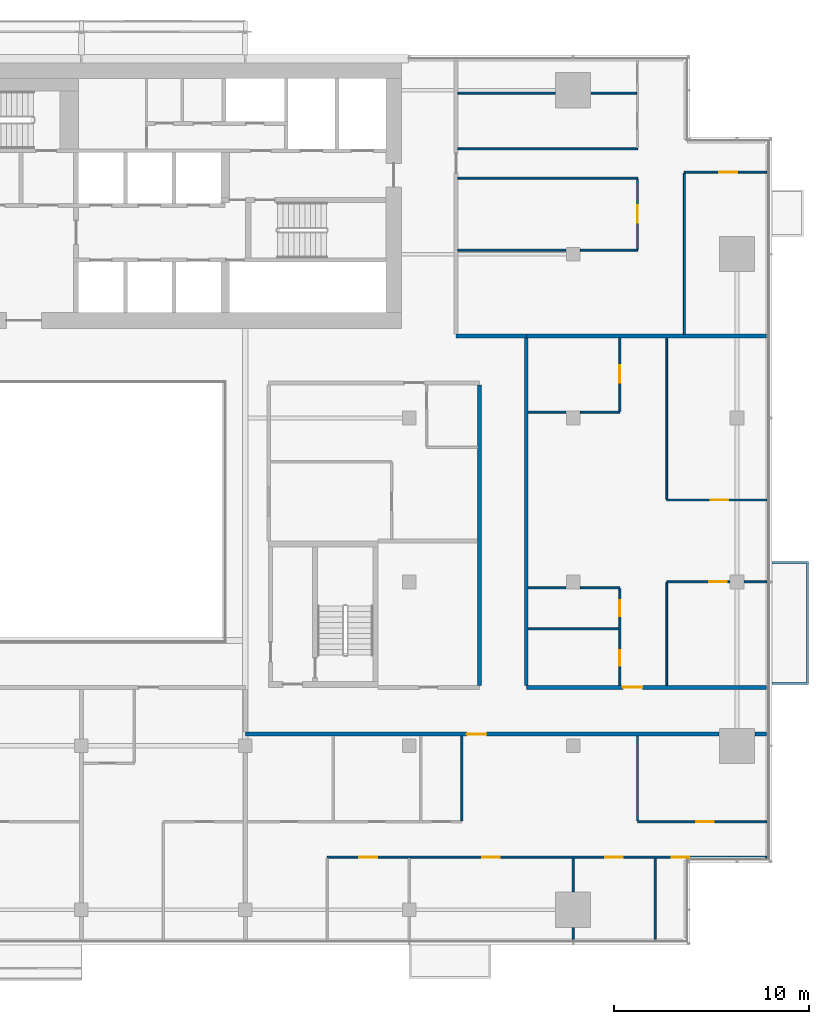
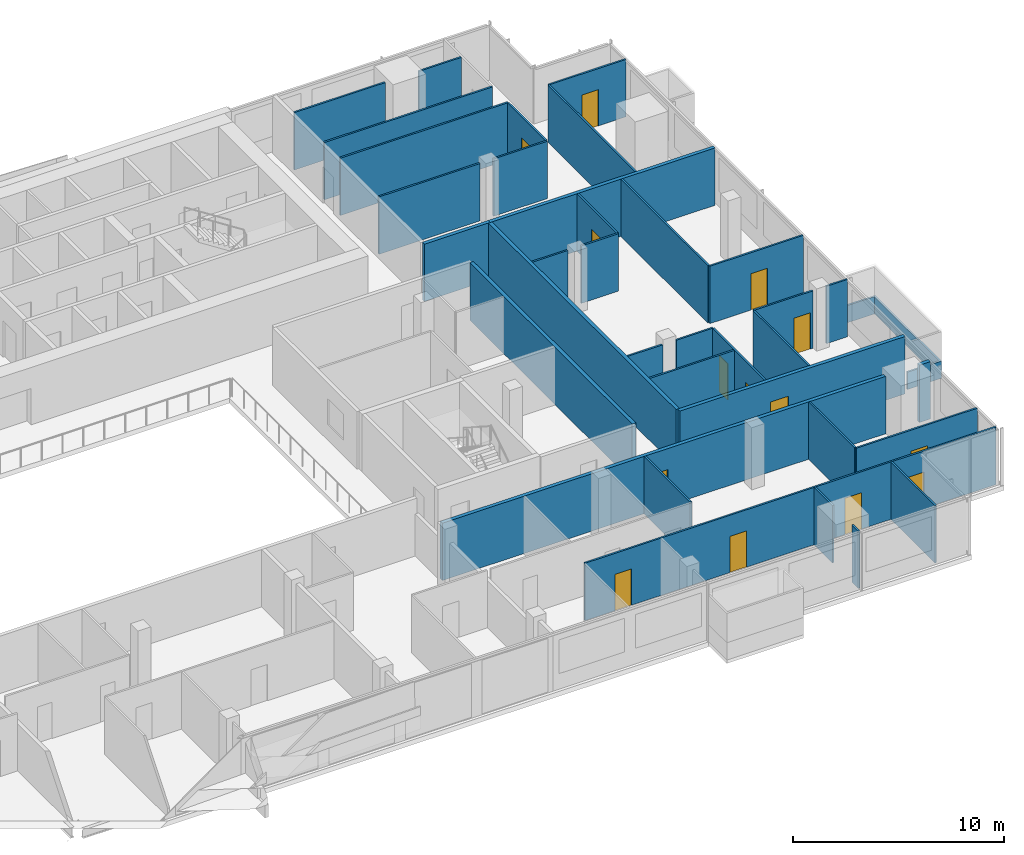
# One storey, part 23 of 27: 36 walls, 14 doors, 14 openings.
"""IFC4 building model written with IfcOpenShell, lengths in metres."""

from ifc_helpers import new_model, si_unit, direction, frame, frame_2d, origin, place, context, subcontext, project, spatial, polyline, rectangle, outline, extrude, material, layer, layer_set, type_object, element, fill, save


model = new_model("IFC4")

# Units and contexts
model_context = context("Model", 3, precision=1e-05, world=origin(), true_north=direction((0.0, 1.0)))
body_context = subcontext(model_context, "Body", "Model", "MODEL_VIEW")
ifc_project = project(units=[si_unit("LENGTHUNIT", "METRE"), si_unit("AREAUNIT", "SQUARE_METRE"), si_unit("VOLUMEUNIT", "CUBIC_METRE"), si_unit("PLANEANGLEUNIT", "RADIAN"), si_unit("MASSUNIT", "GRAM", prefix="KILO")], contexts=[model_context])

# Site, building, storey
site_placement = place(None, origin())
site = spatial("IfcSite", under=ifc_project, at=site_placement, CompositionType="ELEMENT")
building_placement = place(site_placement, origin())
building = spatial("IfcBuilding", under=site, at=building_placement, Name="Saffron Gate Tower", CompositionType="ELEMENT")
storey_placement = place(building_placement, frame((0.0, 0.0, 172.64990234375)))
storey = spatial("IfcBuildingStorey", under=building, at=storey_placement, Name="L42", CompositionType="ELEMENT", Elevation=172.64990234375)

# Wall, openings, doors
ifc_material_1 = material(Name="Plasterboard on steel studs", Category="steel")
ifc_layer_1 = layer(ifc_material_1, 0.10009765625)
ifc_layer_set_1 = layer_set([ifc_layer_1], Name="PW1 Partition 100")
wall_type_1 = type_object("IfcWallType", Name="PW1 Partition 100", PredefinedType="PARTITIONING", material=ifc_layer_set_1)
wall_1_placement = place(storey_placement, frame((126.919921875, 34.5, 0.0), z_axis=(0.0, 0.0, 1.0), x_axis=(-1.0, 0.0, 0.0)))
wall_1 = element("IfcWall", 1, at=wall_1_placement, inside=storey, type_object=wall_type_1, Name="Partition C3-1", PredefinedType="PARTITIONING", context=body_context, shape_type="SweptSolid", body=[
    extrude(rectangle(XDim=22.52001953125, YDim=0.10009765625, at=frame_2d((11.260009765625, 0.0))), origin(), (0.0, 0.0, 1.0), 3.320068359375),
])
opening_1_placement = place(wall_1_placement, frame((3.96630859375, 0.0, 0.0)))
opening_1 = element("IfcOpeningElement", 2, at=opening_1_placement, cuts=wall_1, Name="Opening C3-23", PredefinedType="OPENING", context=body_context, shape_type="SweptSolid", body=[
    extrude(rectangle(XDim=0.89990234375, YDim=2.10009765625, at=frame_2d((0.449951171875, 1.050048828125))), frame((0.0, 0.06005859375, 0.0), z_axis=(0.0, -1.0, 0.0), x_axis=(1.0, 0.0, 0.0)), (0.0, 0.0, 1.0), 0.1201171875),
])
opening_2_placement = place(wall_1_placement, frame((7.3701171875, 0.0, 0.0)))
opening_2 = element("IfcOpeningElement", 3, at=opening_2_placement, cuts=wall_1, Name="Opening C3-22", PredefinedType="OPENING", context=body_context, shape_type="SweptSolid", body=[
    extrude(rectangle(XDim=0.89990234375, YDim=2.10009765625, at=frame_2d((0.449951171875, 1.050048828125))), frame((0.0, 0.06005859375, 0.0), z_axis=(0.0, -1.0, 0.0), x_axis=(1.0, 0.0, 0.0)), (0.0, 0.0, 1.0), 0.1201171875),
])
opening_3_placement = place(wall_1_placement, frame((13.669921875, 0.0, 0.0)))
opening_3 = element("IfcOpeningElement", 4, at=opening_3_placement, cuts=wall_1, Name="Opening C3-21", PredefinedType="OPENING", context=body_context, shape_type="SweptSolid", body=[
    extrude(rectangle(XDim=0.89990234375, YDim=2.10009765625, at=frame_2d((0.449951171875, 1.050048828125))), frame((0.0, 0.06005859375, 0.0), z_axis=(0.0, -1.0, 0.0), x_axis=(1.0, 0.0, 0.0)), (0.0, 0.0, 1.0), 0.1201171875),
])
opening_4_placement = place(wall_1_placement, frame((19.969970703125, 0.0, 0.0)))
opening_4 = element("IfcOpeningElement", 5, at=opening_4_placement, cuts=wall_1, Name="Opening C3-20", PredefinedType="OPENING", context=body_context, shape_type="SweptSolid", body=[
    extrude(rectangle(XDim=0.89990234375, YDim=2.10009765625, at=frame_2d((0.449951171875, 1.050048828125))), frame((0.0, 0.06005859375, 0.0), z_axis=(0.0, -1.0, 0.0), x_axis=(1.0, 0.0, 0.0)), (0.0, 0.0, 1.0), 0.1201171875),
])
ifc_material_2 = material(Name="Timber door set", Category="wood")
door_type_1 = type_object("IfcDoorType", Name="RD1 Room door 900x2100", OperationType="NOTDEFINED", PredefinedType="DOOR", material=ifc_material_2)
door_1_placement = place(opening_1_placement, origin())
door_1 = element("IfcDoor", 6, at=door_1_placement, inside=storey, type_object=door_type_1, Name="Door C3-23", OperationType="SINGLE_SWING_RIGHT", OverallHeight=2.10009765625, OverallWidth=0.89990234375, PredefinedType="DOOR", context=body_context, shape_type="SweptSolid", body=[
    extrude(rectangle(XDim=0.89990234375, YDim=2.10009765625, at=frame_2d((0.449951171875, 1.050048828125))), frame((0.0, 0.02490234375, 0.0), z_axis=(0.0, -1.0, 0.0), x_axis=(1.0, 0.0, 0.0)), (0.0, 0.0, 1.0), 0.050048828125),
])
fill(opening_1, door_1)
door_2_placement = place(opening_2_placement, origin())
door_2 = element("IfcDoor", 7, at=door_2_placement, inside=storey, type_object=door_type_1, Name="Door C3-22", OperationType="SINGLE_SWING_RIGHT", OverallHeight=2.10009765625, OverallWidth=0.89990234375, PredefinedType="DOOR", context=body_context, shape_type="SweptSolid", body=[
    extrude(rectangle(XDim=0.89990234375, YDim=2.10009765625, at=frame_2d((0.449951171875, 1.050048828125))), frame((0.0, 0.02490234375, 0.0), z_axis=(0.0, -1.0, 0.0), x_axis=(1.0, 0.0, 0.0)), (0.0, 0.0, 1.0), 0.050048828125),
])
fill(opening_2, door_2)
door_3_placement = place(opening_3_placement, origin())
door_3 = element("IfcDoor", 8, at=door_3_placement, inside=storey, type_object=door_type_1, Name="Door C3-21", OperationType="SINGLE_SWING_RIGHT", OverallHeight=2.10009765625, OverallWidth=0.89990234375, PredefinedType="DOOR", context=body_context, shape_type="SweptSolid", body=[
    extrude(rectangle(XDim=0.89990234375, YDim=2.10009765625, at=frame_2d((0.449951171875, 1.050048828125))), frame((0.0, 0.02490234375, 0.0), z_axis=(0.0, -1.0, 0.0), x_axis=(1.0, 0.0, 0.0)), (0.0, 0.0, 1.0), 0.050048828125),
])
fill(opening_3, door_3)
door_4_placement = place(opening_4_placement, origin())
door_4 = element("IfcDoor", 9, at=door_4_placement, inside=storey, type_object=door_type_1, Name="Door C3-20", OperationType="SINGLE_SWING_RIGHT", OverallHeight=2.10009765625, OverallWidth=0.89990234375, PredefinedType="DOOR", context=body_context, shape_type="SweptSolid", body=[
    extrude(rectangle(XDim=0.89990234375, YDim=2.10009765625, at=frame_2d((0.449951171875, 1.050048828125))), frame((0.0, 0.02490234375, 0.0), z_axis=(0.0, -1.0, 0.0), x_axis=(1.0, 0.0, 0.0)), (0.0, 0.0, 1.0), 0.050048828125),
])
fill(opening_4, door_4)

# Wall, opening, door
wall_2_placement = place(storey_placement, frame((120.300048828125, 36.300048828125, 0.0), z_axis=(0.0, 0.0, 1.0), x_axis=(1.0, 0.0, 0.0)))
wall_2 = element("IfcWall", 10, at=wall_2_placement, inside=storey, type_object=wall_type_1, Name="Partition C3-4", PredefinedType="PARTITIONING", context=body_context, shape_type="SweptSolid", body=[
    extrude(rectangle(XDim=6.619873046875, YDim=0.10009765625, at=frame_2d((3.31005859375, 0.0))), origin(), (0.0, 0.0, 1.0), 3.320068359375),
])
opening_5_placement = place(wall_2_placement, frame((3.0, 0.0, 0.0)))
opening_5 = element("IfcOpeningElement", 11, at=opening_5_placement, cuts=wall_2, Name="Opening C3-24", PredefinedType="OPENING", context=body_context, shape_type="SweptSolid", body=[
    extrude(rectangle(XDim=0.89990234375, YDim=2.10009765625, at=frame_2d((0.449951171875, 1.050048828125))), frame((0.0, 0.06005859375, 0.0), z_axis=(0.0, -1.0, 0.0), x_axis=(1.0, 0.0, 0.0)), (0.0, 0.0, 1.0), 0.1201171875),
])
door_5_placement = place(opening_5_placement, origin())
door_5 = element("IfcDoor", 12, at=door_5_placement, inside=storey, type_object=door_type_1, Name="Door C3-24", OperationType="SINGLE_SWING_RIGHT", OverallHeight=2.10009765625, OverallWidth=0.89990234375, PredefinedType="DOOR", context=body_context, shape_type="SweptSolid", body=[
    extrude(rectangle(XDim=0.89990234375, YDim=2.10009765625, at=frame_2d((0.449951171875, 1.050048828125))), frame((0.0, 0.02490234375, 0.0), z_axis=(0.0, -1.0, 0.0), x_axis=(1.0, 0.0, 0.0)), (0.0, 0.0, 1.0), 0.050048828125),
])
fill(opening_5, door_5)

# Walls
wall_3_placement = place(storey_placement, frame((114.699951171875, 46.199951171875, 0.0), z_axis=(0.0, 0.0, 1.0), x_axis=(1.0, 0.0, 0.0)))
element("IfcWall", 13, at=wall_3_placement, inside=storey, type_object=wall_type_1, Name="Partition C3-18", PredefinedType="PARTITIONING", context=body_context, shape_type="SweptSolid", body=[
    extrude(rectangle(XDim=4.650146484375, YDim=0.10009765625, at=frame_2d((2.3251953125, 0.0))), origin(), (0.0, 0.0, 1.0), 3.320068359375),
])
wall_4_placement = place(storey_placement, frame((114.699951171875, 48.300048828125, 0.0), z_axis=(0.0, 0.0, 1.0), x_axis=(1.0, 0.0, 0.0)))
element("IfcWall", 14, at=wall_4_placement, inside=storey, type_object=wall_type_1, Name="Partition C3-19", PredefinedType="PARTITIONING", context=body_context, shape_type="SweptSolid", body=[
    extrude(rectangle(XDim=1.929931640625, YDim=0.10009765625, at=frame_2d((0.96484375, 0.0))), origin(), (0.0, 0.0, 1.0), 3.320068359375),
])
wall_5_placement = place(storey_placement, frame((117.3701171875, 48.300048828125, 0.0), z_axis=(0.0, 0.0, 1.0), x_axis=(1.0, 0.0, 0.0)))
element("IfcWall", 15, at=wall_5_placement, inside=storey, type_object=wall_type_1, Name="Partition C3-20", PredefinedType="PARTITIONING", context=body_context, shape_type="SweptSolid", body=[
    extrude(rectangle(XDim=2.02978515625, YDim=0.10009765625, at=frame_2d((1.014892578125, 0.0))), origin(), (0.0, 0.0, 1.0), 3.320068359375),
])

# Wall, opening, door
wall_6_placement = place(storey_placement, frame((125.030029296875, 48.60009765625, 0.0), z_axis=(0.0, 0.0, 1.0), x_axis=(-1.0, 0.0, 0.0)))
wall_6 = element("IfcWall", 16, at=wall_6_placement, inside=storey, type_object=wall_type_1, Name="Partition C3-23", PredefinedType="PARTITIONING", context=body_context, shape_type="SweptSolid", body=[
    extrude(rectangle(XDim=3.22998046875, YDim=0.10009765625, at=frame_2d((1.614990234375, 0.0))), origin(), (0.0, 0.0, 1.0), 3.320068359375),
])
opening_6_placement = place(wall_6_placement, frame((0.14990234375, 0.0, 0.0)))
opening_6 = element("IfcOpeningElement", 17, at=opening_6_placement, cuts=wall_6, Name="Opening C3-32", PredefinedType="OPENING", context=body_context, shape_type="SweptSolid", body=[
    extrude(rectangle(XDim=0.89990234375, YDim=2.10009765625, at=frame_2d((0.449951171875, 1.050048828125))), frame((0.0, 0.06005859375, 0.0), z_axis=(0.0, -1.0, 0.0), x_axis=(1.0, 0.0, 0.0)), (0.0, 0.0, 1.0), 0.1201171875),
])
door_6_placement = place(opening_6_placement, origin())
door_6 = element("IfcDoor", 18, at=door_6_placement, inside=storey, type_object=door_type_1, Name="Door C3-32", OperationType="SINGLE_SWING_LEFT", OverallHeight=2.10009765625, OverallWidth=0.89990234375, PredefinedType="DOOR", context=body_context, shape_type="SweptSolid", body=[
    extrude(rectangle(XDim=0.89990234375, YDim=2.10009765625, at=frame_2d((0.449951171875, 1.050048828125))), frame((0.0, 0.02490234375, 0.0), z_axis=(0.0, -1.0, 0.0), x_axis=(1.0, 0.0, 0.0)), (0.0, 0.0, 1.0), 0.050048828125),
])
fill(opening_6, door_6)

# Wall
wall_7_placement = place(storey_placement, frame((125.77001953125, 48.60009765625, 0.0), z_axis=(0.0, 0.0, 1.0), x_axis=(1.0, 0.0, 0.0)))
element("IfcWall", 19, at=wall_7_placement, inside=storey, type_object=wall_type_1, Name="Partition C3-24", PredefinedType="PARTITIONING", context=body_context, shape_type="SweptSolid", body=[
    extrude(rectangle(XDim=1.14990234375, YDim=0.10009765625, at=frame_2d((0.574951171875, 0.0))), origin(), (0.0, 0.0, 1.0), 3.320068359375),
])

# Wall, opening, door
wall_8_placement = place(storey_placement, frame((121.800048828125, 52.800048828125, 0.0), z_axis=(0.0, 0.0, 1.0), x_axis=(1.0, 0.0, 0.0)))
wall_8 = element("IfcWall", 20, at=wall_8_placement, inside=storey, type_object=wall_type_1, Name="Partition C3-29", PredefinedType="PARTITIONING", context=body_context, shape_type="SweptSolid", body=[
    extrude(rectangle(XDim=5.119873046875, YDim=0.10009765625, at=frame_2d((2.56005859375, 0.0))), origin(), (0.0, 0.0, 1.0), 3.320068359375),
])
opening_7_placement = place(wall_8_placement, frame((2.25, 0.0, 0.0)))
opening_7 = element("IfcOpeningElement", 21, at=opening_7_placement, cuts=wall_8, Name="Opening C3-33", PredefinedType="OPENING", context=body_context, shape_type="SweptSolid", body=[
    extrude(rectangle(XDim=0.89990234375, YDim=2.10009765625, at=frame_2d((0.449951171875, 1.050048828125))), frame((0.0, 0.06005859375, 0.0), z_axis=(0.0, -1.0, 0.0), x_axis=(1.0, 0.0, 0.0)), (0.0, 0.0, 1.0), 0.1201171875),
])
door_7_placement = place(opening_7_placement, origin())
door_7 = element("IfcDoor", 22, at=door_7_placement, inside=storey, type_object=door_type_1, Name="Door C3-33", OperationType="SINGLE_SWING_RIGHT", OverallHeight=2.10009765625, OverallWidth=0.89990234375, PredefinedType="DOOR", context=body_context, shape_type="SweptSolid", body=[
    extrude(rectangle(XDim=0.89990234375, YDim=2.10009765625, at=frame_2d((0.449951171875, 1.050048828125))), frame((0.0, 0.02490234375, 0.0), z_axis=(0.0, -1.0, 0.0), x_axis=(1.0, 0.0, 0.0)), (0.0, 0.0, 1.0), 0.050048828125),
])
fill(opening_7, door_7)

# Walls
wall_9_placement = place(storey_placement, frame((114.699951171875, 57.300048828125, 0.0), z_axis=(0.0, 0.0, 1.0), x_axis=(1.0, 0.0, 0.0)))
element("IfcWall", 23, at=wall_9_placement, inside=storey, type_object=wall_type_1, Name="Partition C3-36", PredefinedType="PARTITIONING", context=body_context, shape_type="SweptSolid", body=[
    extrude(rectangle(XDim=1.929931640625, YDim=0.10009765625, at=frame_2d((0.96484375, 0.0))), origin(), (0.0, 0.0, 1.0), 3.320068359375),
])
wall_10_placement = place(storey_placement, frame((117.3701171875, 57.300048828125, 0.0), z_axis=(0.0, 0.0, 1.0), x_axis=(1.0, 0.0, 0.0)))
element("IfcWall", 24, at=wall_10_placement, inside=storey, type_object=wall_type_1, Name="Partition C3-37", PredefinedType="PARTITIONING", context=body_context, shape_type="SweptSolid", body=[
    extrude(rectangle(XDim=2.02978515625, YDim=0.10009765625, at=frame_2d((1.014892578125, 0.0))), origin(), (0.0, 0.0, 1.0), 3.320068359375),
])
wall_11_placement = place(storey_placement, frame((111.10009765625, 65.608642578125, 0.0), z_axis=(0.0, 0.0, 1.0), x_axis=(1.0, 0.0, 0.0)))
element("IfcWall", 25, at=wall_11_placement, inside=storey, type_object=wall_type_1, Name="Partition C3-46", PredefinedType="PARTITIONING", context=body_context, shape_type="SweptSolid", body=[
    extrude(rectangle(XDim=5.52978515625, YDim=0.10009765625, at=frame_2d((2.764892578125, 0.0))), origin(), (0.0, 0.0, 1.0), 3.320068359375),
])
wall_12_placement = place(storey_placement, frame((117.3701171875, 65.608642578125, 0.0), z_axis=(0.0, 0.0, 1.0), x_axis=(1.0, 0.0, 0.0)))
element("IfcWall", 26, at=wall_12_placement, inside=storey, type_object=wall_type_1, Name="Partition C3-47", PredefinedType="PARTITIONING", context=body_context, shape_type="SweptSolid", body=[
    extrude(rectangle(XDim=2.929931640625, YDim=0.10009765625, at=frame_2d((1.46484375, 0.0))), origin(), (0.0, 0.0, 1.0), 3.320068359375),
])
wall_13_placement = place(storey_placement, frame((111.10009765625, 69.300048828125, 0.0), z_axis=(0.0, 0.0, 1.0), x_axis=(1.0, 0.0, 0.0)))
element("IfcWall", 27, at=wall_13_placement, inside=storey, type_object=wall_type_1, Name="Partition C3-50", PredefinedType="PARTITIONING", context=body_context, shape_type="SweptSolid", body=[
    extrude(rectangle(XDim=9.199951171875, YDim=0.10009765625, at=frame_2d((4.60009765625, 0.0))), origin(), (0.0, 0.0, 1.0), 3.320068359375),
])

# Wall, opening, door
wall_14_placement = place(storey_placement, frame((126.919921875, 69.60009765625, 0.0), z_axis=(0.0, 0.0, 1.0), x_axis=(-1.0, 0.0, 0.0)))
wall_14 = element("IfcWall", 28, at=wall_14_placement, inside=storey, type_object=wall_type_1, Name="Partition C3-52", PredefinedType="PARTITIONING", context=body_context, shape_type="SweptSolid", body=[
    extrude(rectangle(XDim=4.219970703125, YDim=0.10009765625, at=frame_2d((2.10986328125, 0.0))), origin(), (0.0, 0.0, 1.0), 3.320068359375),
])
opening_8_placement = place(wall_14_placement, frame((1.52001953125, 0.0, 0.0)))
opening_8 = element("IfcOpeningElement", 29, at=opening_8_placement, cuts=wall_14, Name="Opening C3-35", PredefinedType="OPENING", context=body_context, shape_type="SweptSolid", body=[
    extrude(rectangle(XDim=0.89990234375, YDim=2.10009765625, at=frame_2d((0.449951171875, 1.050048828125))), frame((0.0, 0.06005859375, 0.0), z_axis=(0.0, -1.0, 0.0), x_axis=(1.0, 0.0, 0.0)), (0.0, 0.0, 1.0), 0.1201171875),
])
door_8_placement = place(opening_8_placement, origin())
door_8 = element("IfcDoor", 30, at=door_8_placement, inside=storey, type_object=door_type_1, Name="Door C3-35", OperationType="SINGLE_SWING_LEFT", OverallHeight=2.10009765625, OverallWidth=0.89990234375, PredefinedType="DOOR", context=body_context, shape_type="SweptSolid", body=[
    extrude(rectangle(XDim=0.89990234375, YDim=2.10009765625, at=frame_2d((0.449951171875, 1.050048828125))), frame((0.0, 0.02490234375, 0.0), z_axis=(0.0, -1.0, 0.0), x_axis=(1.0, 0.0, 0.0)), (0.0, 0.0, 1.0), 0.050048828125),
])
fill(opening_8, door_8)

# Walls
wall_15_placement = place(storey_placement, frame((111.10009765625, 70.800048828125, 0.0), z_axis=(0.0, 0.0, 1.0), x_axis=(1.0, 0.0, 0.0)))
element("IfcWall", 31, at=wall_15_placement, inside=storey, type_object=wall_type_1, Name="Partition C3-53", PredefinedType="PARTITIONING", context=body_context, shape_type="SweptSolid", body=[
    extrude(rectangle(XDim=9.199951171875, YDim=0.10009765625, at=frame_2d((4.60009765625, 0.0))), origin(), (0.0, 0.0, 1.0), 3.320068359375),
])
wall_16_placement = place(storey_placement, frame((111.10009765625, 73.6494140625, 0.0), z_axis=(0.0, 0.0, 1.0), x_axis=(1.0, 0.0, 0.0)))
element("IfcWall", 32, at=wall_16_placement, inside=storey, type_object=wall_type_1, Name="Partition C3-55", PredefinedType="PARTITIONING", context=body_context, shape_type="SweptSolid", body=[
    extrude(rectangle(XDim=4.97998046875, YDim=0.10009765625, at=frame_2d((2.489990234375, 0.0))), origin(), (0.0, 0.0, 1.0), 3.320068359375),
])
wall_17_placement = place(storey_placement, frame((117.919921875, 73.6494140625, 0.0), z_axis=(0.0, 0.0, 1.0), x_axis=(1.0, 0.0, 0.0)))
element("IfcWall", 33, at=wall_17_placement, inside=storey, type_object=wall_type_1, Name="Partition C3-56", PredefinedType="PARTITIONING", context=body_context, shape_type="SweptSolid", body=[
    extrude(rectangle(XDim=2.330078125, YDim=0.10009765625, at=frame_2d((1.1650390625, 0.0))), origin(), (0.0, 0.0, 1.0), 3.320068359375),
])
wall_18_placement = place(storey_placement, frame((111.300048828125, 40.699951171875, 0.0), z_axis=(0.0, 0.0, 1.0), x_axis=(0.0, -1.0, 0.0)))
element("IfcWall", 34, at=wall_18_placement, inside=storey, type_object=wall_type_1, Name="Partition C3-105", PredefinedType="PARTITIONING", context=body_context, shape_type="SweptSolid", body=[
    extrude(rectangle(XDim=4.349853515625, YDim=0.10009765625, at=frame_2d((2.1748046875, 0.0))), origin(), (0.0, 0.0, 1.0), 3.320068359375),
])
wall_19_placement = place(storey_placement, frame((117.0, 30.8798828125, 0.0), z_axis=(0.0, 0.0, 1.0), x_axis=(0.0, -1.0, 0.0)))
element("IfcWall", 35, at=wall_19_placement, inside=storey, type_object=wall_type_1, Name="Partition C3-108", PredefinedType="PARTITIONING", context=body_context, shape_type="SweptSolid", body=[
    extrude(rectangle(XDim=0.599853515625, YDim=0.10009765625, at=frame_2d((0.2998046875, 0.0))), origin(), (0.0, 0.0, 1.0), 3.320068359375),
])
wall_20_placement = place(storey_placement, frame((117.0, 34.449951171875, 0.0), z_axis=(0.0, 0.0, 1.0), x_axis=(0.0, -1.0, 0.0)))
element("IfcWall", 36, at=wall_20_placement, inside=storey, type_object=wall_type_1, Name="Partition C3-109", PredefinedType="PARTITIONING", context=body_context, shape_type="SweptSolid", body=[
    extrude(rectangle(XDim=1.72998046875, YDim=0.10009765625, at=frame_2d((0.864990234375, 0.0))), origin(), (0.0, 0.0, 1.0), 3.320068359375),
])

# Wall, openings, doors
wall_21_placement = place(storey_placement, frame((119.39990234375, 43.300048828125, 0.0), z_axis=(0.0, 0.0, 1.0), x_axis=(0.0, 1.0, 0.0)))
wall_21 = element("IfcWall", 37, at=wall_21_placement, inside=storey, type_object=wall_type_1, Name="Partition C3-110", PredefinedType="PARTITIONING", context=body_context, shape_type="SweptSolid", body=[
    extrude(rectangle(XDim=4.949951171875, YDim=0.10009765625, at=frame_2d((2.47509765625, 0.0))), origin(), (0.0, 0.0, 1.0), 3.320068359375),
])
opening_9_placement = place(wall_21_placement, frame((1.0, 0.0, 0.0)))
opening_9 = element("IfcOpeningElement", 38, at=opening_9_placement, cuts=wall_21, Name="Opening C3-50", PredefinedType="OPENING", context=body_context, shape_type="SweptSolid", body=[
    extrude(rectangle(XDim=0.800048828125, YDim=2.10009765625, at=frame_2d((0.39990234375, 1.050048828125))), frame((0.0, 0.06005859375, 0.0), z_axis=(0.0, -1.0, 0.0), x_axis=(1.0, 0.0, 0.0)), (0.0, 0.0, 1.0), 0.1201171875),
])
opening_10_placement = place(wall_21_placement, frame((3.550048828125, 0.0, 0.0)))
opening_10 = element("IfcOpeningElement", 39, at=opening_10_placement, cuts=wall_21, Name="Opening C3-51", PredefinedType="OPENING", context=body_context, shape_type="SweptSolid", body=[
    extrude(rectangle(XDim=0.800048828125, YDim=2.10009765625, at=frame_2d((0.39990234375, 1.050048828125))), frame((0.0, 0.06005859375, 0.0), z_axis=(0.0, -1.0, 0.0), x_axis=(1.0, 0.0, 0.0)), (0.0, 0.0, 1.0), 0.1201171875),
])
door_type_2 = type_object("IfcDoorType", Name="RD2 Bathroom door 800x2100", OperationType="NOTDEFINED", PredefinedType="DOOR", material=ifc_material_2)
door_9_placement = place(opening_9_placement, origin())
door_9 = element("IfcDoor", 40, at=door_9_placement, inside=storey, type_object=door_type_2, Name="Door C3-50", OperationType="SINGLE_SWING_LEFT", OverallHeight=2.10009765625, OverallWidth=0.800048828125, PredefinedType="DOOR", context=body_context, shape_type="SweptSolid", body=[
    extrude(rectangle(XDim=0.800048828125, YDim=2.10009765625, at=frame_2d((0.39990234375, 1.050048828125))), frame((0.0, 0.02490234375, 0.0), z_axis=(0.0, -1.0, 0.0), x_axis=(1.0, 0.0, 0.0)), (0.0, 0.0, 1.0), 0.050048828125),
])
fill(opening_9, door_9)
door_10_placement = place(opening_10_placement, origin())
door_10 = element("IfcDoor", 41, at=door_10_placement, inside=storey, type_object=door_type_2, Name="Door C3-51", OperationType="SINGLE_SWING_RIGHT", OverallHeight=2.10009765625, OverallWidth=0.800048828125, PredefinedType="DOOR", context=body_context, shape_type="SweptSolid", body=[
    extrude(rectangle(XDim=0.800048828125, YDim=2.10009765625, at=frame_2d((0.39990234375, 1.050048828125))), frame((0.0, 0.02490234375, 0.0), z_axis=(0.0, -1.0, 0.0), x_axis=(1.0, 0.0, 0.0)), (0.0, 0.0, 1.0), 0.050048828125),
])
fill(opening_10, door_10)

# Wall, opening, door
wall_22_placement = place(storey_placement, frame((119.39990234375, 57.35009765625, 0.0), z_axis=(0.0, 0.0, 1.0), x_axis=(0.0, 1.0, 0.0)))
wall_22 = element("IfcWall", 42, at=wall_22_placement, inside=storey, type_object=wall_type_1, Name="Partition C3-111", PredefinedType="PARTITIONING", context=body_context, shape_type="SweptSolid", body=[
    extrude(rectangle(XDim=3.75, YDim=0.10009765625, at=frame_2d((1.875, 0.0))), origin(), (0.0, 0.0, 1.0), 3.320068359375),
])
opening_11_placement = place(wall_22_placement, frame((1.449951171875, 0.0, 0.0)))
opening_11 = element("IfcOpeningElement", 43, at=opening_11_placement, cuts=wall_22, Name="Opening C3-34", PredefinedType="OPENING", context=body_context, shape_type="SweptSolid", body=[
    extrude(rectangle(XDim=0.89990234375, YDim=2.10009765625, at=frame_2d((0.449951171875, 1.050048828125))), frame((0.0, 0.06005859375, 0.0), z_axis=(0.0, -1.0, 0.0), x_axis=(1.0, 0.0, 0.0)), (0.0, 0.0, 1.0), 0.1201171875),
])
door_11_placement = place(opening_11_placement, origin())
door_11 = element("IfcDoor", 44, at=door_11_placement, inside=storey, type_object=door_type_1, Name="Door C3-34", OperationType="SINGLE_SWING_RIGHT", OverallHeight=2.10009765625, OverallWidth=0.89990234375, PredefinedType="DOOR", context=body_context, shape_type="SweptSolid", body=[
    extrude(rectangle(XDim=0.89990234375, YDim=2.10009765625, at=frame_2d((0.449951171875, 1.050048828125))), frame((0.0, 0.02490234375, 0.0), z_axis=(0.0, -1.0, 0.0), x_axis=(1.0, 0.0, 0.0)), (0.0, 0.0, 1.0), 0.050048828125),
])
fill(opening_11, door_11)

# Wall
wall_23_placement = place(storey_placement, frame((120.300048828125, 40.699951171875, 0.0), z_axis=(0.0, 0.0, 1.0), x_axis=(0.0, -1.0, 0.0)))
element("IfcWall", 45, at=wall_23_placement, inside=storey, type_object=wall_type_1, Name="Partition C3-112", PredefinedType="PARTITIONING", context=body_context, shape_type="SweptSolid", body=[
    extrude(rectangle(XDim=4.349853515625, YDim=0.10009765625, at=frame_2d((2.1748046875, 0.0))), origin(), (0.0, 0.0, 1.0), 3.320068359375),
])

# Wall, opening, door
wall_24_placement = place(storey_placement, frame((120.300048828125, 65.65869140625, 0.0), z_axis=(0.0, 0.0, 1.0), x_axis=(0.0, 1.0, 0.0)))
wall_24 = element("IfcWall", 46, at=wall_24_placement, inside=storey, type_object=wall_type_1, Name="Partition C3-113", PredefinedType="PARTITIONING", context=body_context, shape_type="SweptSolid", body=[
    extrude(rectangle(XDim=3.59130859375, YDim=0.10009765625, at=frame_2d((1.795654296875, 0.0))), origin(), (0.0, 0.0, 1.0), 3.320068359375),
])
opening_12_placement = place(wall_24_placement, frame((1.345703125, 0.0, 0.0)))
opening_12 = element("IfcOpeningElement", 47, at=opening_12_placement, cuts=wall_24, Name="Opening C3-36", PredefinedType="OPENING", context=body_context, shape_type="SweptSolid", body=[
    extrude(rectangle(XDim=0.89990234375, YDim=2.10009765625, at=frame_2d((0.449951171875, 1.050048828125))), frame((0.0, 0.06005859375, 0.0), z_axis=(0.0, -1.0, 0.0), x_axis=(1.0, 0.0, 0.0)), (0.0, 0.0, 1.0), 0.1201171875),
])
door_12_placement = place(opening_12_placement, origin())
door_12 = element("IfcDoor", 48, at=door_12_placement, inside=storey, type_object=door_type_1, Name="Door C3-36", OperationType="SINGLE_SWING_RIGHT", OverallHeight=2.10009765625, OverallWidth=0.89990234375, PredefinedType="DOOR", context=body_context, shape_type="SweptSolid", body=[
    extrude(rectangle(XDim=0.89990234375, YDim=2.10009765625, at=frame_2d((0.449951171875, 1.050048828125))), frame((0.0, 0.02490234375, 0.0), z_axis=(0.0, -1.0, 0.0), x_axis=(1.0, 0.0, 0.0)), (0.0, 0.0, 1.0), 0.050048828125),
])
fill(opening_12, door_12)

# Walls
wall_25_placement = place(storey_placement, frame((121.199951171875, 34.449951171875, 0.0), z_axis=(0.0, 0.0, 1.0), x_axis=(0.0, -1.0, 0.0)))
element("IfcWall", 49, at=wall_25_placement, inside=storey, type_object=wall_type_1, Name="Partition C3-115", PredefinedType="PARTITIONING", context=body_context, shape_type="SweptSolid", body=[
    extrude(rectangle(XDim=4.169921875, YDim=0.10009765625, at=frame_2d((2.0849609375, 0.0))), origin(), (0.0, 0.0, 1.0), 3.320068359375),
])
wall_26_placement = place(storey_placement, frame((121.800048828125, 48.550048828125, 0.0), z_axis=(0.0, 0.0, 1.0), x_axis=(0.0, -1.0, 0.0)))
element("IfcWall", 50, at=wall_26_placement, inside=storey, type_object=wall_type_1, Name="Partition C3-116", PredefinedType="PARTITIONING", context=body_context, shape_type="SweptSolid", body=[
    extrude(rectangle(XDim=5.25, YDim=0.10009765625, at=frame_2d((2.625, 0.0))), origin(), (0.0, 0.0, 1.0), 3.320068359375),
])
for number, where, z_axis, x_axis, name in (
    (51, (121.800048828125, 61.10009765625, 0.0), (0.0, 0.0, 1.0), (0.0, -1.0, 0.0), "Partition C3-117"),
    (52, (122.699951171875, 69.550048828125, 0.0), (0.0, 0.0, 1.0), (0.0, -1.0, 0.0), "Partition C3-118"),
):
    element("IfcWall", number, at=place(storey_placement, frame(where, z_axis=z_axis, x_axis=x_axis)), inside=storey, type_object=wall_type_1, Name=name, PredefinedType="PARTITIONING", context=body_context, shape_type="SweptSolid", body=[
        extrude(rectangle(XDim=8.25, YDim=0.10009765625, at=frame_2d((4.125, 0.0))), origin(), (0.0, 0.0, 1.0), 3.320068359375),
    ])
ifc_material_3 = material(Name="Clay brick masonry, rendered", Category="masonry")
ifc_layer_2 = layer(ifc_material_3, 0.199951171875)
ifc_layer_set_2 = layer_set([ifc_layer_2], Name="PW2 Demising wall 200")
wall_type_2 = type_object("IfcWallType", Name="PW2 Demising wall 200", PredefinedType="PARTITIONING", material=ifc_layer_set_2)
wall_27_placement = place(storey_placement, frame((114.60009765625, 61.199951171875, 0.0), z_axis=(0.0, 0.0, 1.0), x_axis=(1.0, 0.0, 0.0)))
element("IfcWall", 53, at=wall_27_placement, inside=storey, type_object=wall_type_2, Name="Wall C3-44", PredefinedType="PARTITIONING", context=body_context, shape_type="SweptSolid", body=[
    extrude(rectangle(XDim=12.31982421875, YDim=0.199951171875, at=frame_2d((6.159912109375, 0.0))), origin(), (0.0, 0.0, 1.0), 3.320068359375),
])

# Wall, opening, door
ifc_layer_3 = layer(ifc_material_3, 0.199951171875)
ifc_layer_set_3 = layer_set([ifc_layer_3], Name="PW3 Corridor wall 200")
wall_type_3 = type_object("IfcWallType", Name="PW3 Corridor wall 200", PredefinedType="PARTITIONING", material=ifc_layer_set_3)
wall_28_placement = place(storey_placement, frame((124.47998046875, 40.800048828125, 0.0), z_axis=(0.0, 0.0, 1.0), x_axis=(-1.0, 0.0, 0.0)))
wall_28 = element("IfcWall", 54, at=wall_28_placement, inside=storey, type_object=wall_type_3, Name="Wall C3-11", PredefinedType="PARTITIONING", context=body_context, shape_type="SweptSolid", body=[
    extrude(rectangle(XDim=24.280029296875, YDim=0.199951171875, at=frame_2d((12.14013671875, 0.0))), origin(), (0.0, 0.0, 1.0), 3.320068359375),
])
opening_13_placement = place(wall_28_placement, frame((11.929931640625, 0.0, 0.0)))
opening_13 = element("IfcOpeningElement", 55, at=opening_13_placement, cuts=wall_28, Name="Opening C3-4", PredefinedType="OPENING", context=body_context, shape_type="SweptSolid", body=[
    extrude(rectangle(XDim=1.0, YDim=2.10009765625, at=frame_2d((0.5, 1.050048828125))), frame((0.0, 0.10986328125, 0.0), z_axis=(0.0, -1.0, 0.0), x_axis=(1.0, 0.0, 0.0)), (0.0, 0.0, 1.0), 0.219970703125),
])
ifc_material_4 = material(Name="Timber fire door set", Category="wood")
door_type_3 = type_object("IfcDoorType", Name="FD1 Flat entry door 1000x2100", OperationType="NOTDEFINED", PredefinedType="DOOR", material=ifc_material_4)
door_13_placement = place(opening_13_placement, origin())
door_13 = element("IfcDoor", 56, at=door_13_placement, inside=storey, type_object=door_type_3, Name="Door C3-4", OperationType="SINGLE_SWING_RIGHT", OverallHeight=2.10009765625, OverallWidth=1.0, PredefinedType="DOOR", context=body_context, shape_type="SweptSolid", body=[
    extrude(rectangle(XDim=1.0, YDim=2.10009765625, at=frame_2d((0.5, 1.050048828125))), frame((0.0, 0.02490234375, 0.0), z_axis=(0.0, -1.0, 0.0), x_axis=(1.0, 0.0, 0.0)), (0.0, 0.0, 1.0), 0.050048828125),
])
fill(opening_13, door_13)

# Wall
wall_29_placement = place(storey_placement, frame((126.320068359375, 40.800048828125, 0.0), z_axis=(0.0, 0.0, 1.0), x_axis=(1.0, 0.0, 0.0)))
element("IfcWall", 57, at=wall_29_placement, inside=storey, type_object=wall_type_3, Name="Wall C3-12", PredefinedType="PARTITIONING", context=body_context, shape_type="SweptSolid", body=[
    extrude(rectangle(XDim=0.599853515625, YDim=0.199951171875, at=frame_2d((0.2998046875, 0.0))), origin(), (0.0, 0.0, 1.0), 3.320068359375),
])

# Wall, opening, door
wall_30_placement = place(storey_placement, frame((114.60009765625, 43.199951171875, 0.0), z_axis=(0.0, 0.0, 1.0), x_axis=(1.0, 0.0, 0.0)))
wall_30 = element("IfcWall", 58, at=wall_30_placement, inside=storey, type_object=wall_type_3, Name="Wall C3-17", PredefinedType="PARTITIONING", context=body_context, shape_type="SweptSolid", body=[
    extrude(rectangle(XDim=12.31982421875, YDim=0.199951171875, at=frame_2d((6.159912109375, 0.0))), origin(), (0.0, 0.0, 1.0), 3.320068359375),
])
opening_14_placement = place(wall_30_placement, frame((4.949951171875, 0.0, 0.0)))
opening_14 = element("IfcOpeningElement", 59, at=opening_14_placement, cuts=wall_30, Name="Opening C3-7", PredefinedType="OPENING", context=body_context, shape_type="SweptSolid", body=[
    extrude(rectangle(XDim=1.0, YDim=2.10009765625, at=frame_2d((0.5, 1.050048828125))), frame((0.0, 0.10986328125, 0.0), z_axis=(0.0, -1.0, 0.0), x_axis=(1.0, 0.0, 0.0)), (0.0, 0.0, 1.0), 0.219970703125),
])
door_14_placement = place(opening_14_placement, origin())
door_14 = element("IfcDoor", 60, at=door_14_placement, inside=storey, type_object=door_type_3, Name="Door C3-7", OperationType="SINGLE_SWING_LEFT", OverallHeight=2.10009765625, OverallWidth=1.0, PredefinedType="DOOR", context=body_context, shape_type="SweptSolid", body=[
    extrude(rectangle(XDim=1.0, YDim=2.10009765625, at=frame_2d((0.5, 1.050048828125))), frame((0.0, 0.02490234375, 0.0), z_axis=(0.0, -1.0, 0.0), x_axis=(1.0, 0.0, 0.0)), (0.0, 0.0, 1.0), 0.050048828125),
])
fill(opening_14, door_14)

# Walls
wall_31_placement = place(storey_placement, frame((111.0, 61.199951171875, 0.0), z_axis=(0.0, 0.0, 1.0), x_axis=(1.0, 0.0, 0.0)))
element("IfcWall", 61, at=wall_31_placement, inside=storey, type_object=wall_type_3, Name="Wall C3-42", PredefinedType="PARTITIONING", context=body_context, shape_type="SweptSolid", body=[
    extrude(rectangle(XDim=3.60009765625, YDim=0.199951171875, at=frame_2d((1.800048828125, 0.0))), origin(), (0.0, 0.0, 1.0), 3.320068359375),
])
wall_32_placement = place(storey_placement, frame((112.199951171875, 58.699951171875, 0.0), z_axis=(0.0, 0.0, 1.0), x_axis=(0.0, -1.0, 0.0)))
element("IfcWall", 62, at=wall_32_placement, inside=storey, type_object=wall_type_3, Name="Wall C3-106", PredefinedType="PARTITIONING", context=body_context, shape_type="SweptSolid", body=[
    extrude(rectangle(XDim=15.39990234375, YDim=0.199951171875, at=frame_2d((7.699951171875, 0.0))), origin(), (0.0, 0.0, 1.0), 3.320068359375),
])
wall_33_placement = place(storey_placement, frame((114.60009765625, 61.10009765625, 0.0), z_axis=(0.0, 0.0, 1.0), x_axis=(0.0, -1.0, 0.0)))
element("IfcWall", 63, at=wall_33_placement, inside=storey, type_object=wall_type_3, Name="Wall C3-107", PredefinedType="PARTITIONING", context=body_context, shape_type="SweptSolid", body=[
    extrude(rectangle(XDim=17.800048828125, YDim=0.199951171875, at=frame_2d((8.89990234375, 0.0))), origin(), (0.0, 0.0, 1.0), 3.320068359375),
])
ifc_material_5 = material(Name="Rendered insulated panel, white")
ifc_layer_4 = layer(ifc_material_5, 0.10009765625)
ifc_layer_set_4 = layer_set([ifc_layer_4], Name="WB3 box parapet white")
wall_type_4 = type_object("IfcWallType", Name="WB3 box parapet white", PredefinedType="SOLIDWALL", material=ifc_layer_set_4)
wall_34_placement = place(storey_placement, origin())
element("IfcWall", 64, at=wall_34_placement, inside=storey, type_object=wall_type_4, Name="WINDOW BOX parapet", PredefinedType="SOLIDWALL", context=body_context, shape_type="SweptSolid", body=[
    extrude(outline(polyline([(127.199951171875, 43.35009765625), (127.199951171875, 43.449951171875), (128.967041015625, 43.449951171875), (128.967041015625, 49.550048828125), (127.199951171875, 49.550048828125), (127.199951171875, 49.64990234375), (129.06689453125, 49.64990234375), (129.06689453125, 43.35009765625), (127.199951171875, 43.35009765625)])), origin(), (0.0, 0.0, 1.0), 1.0),
])

save(model, "model.ifc")
